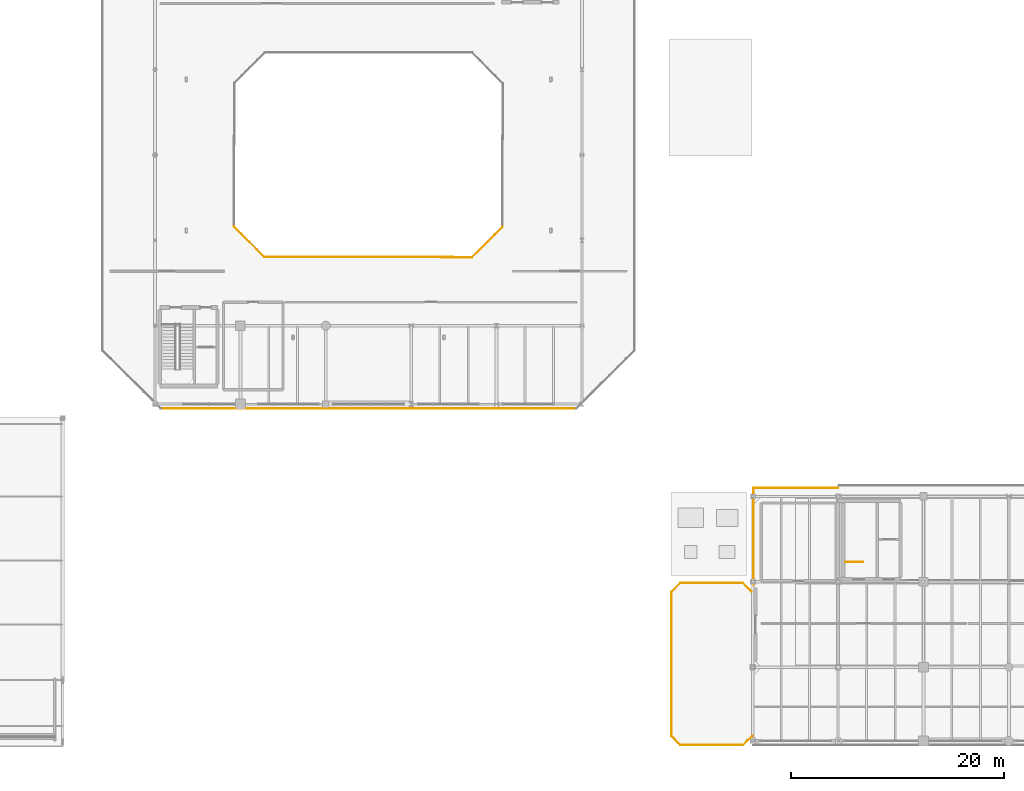
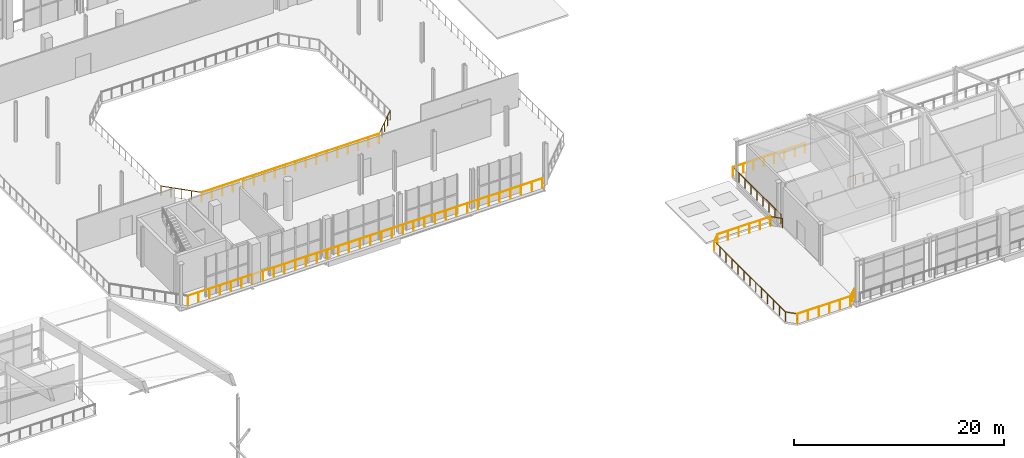
# One storey, part 47 of 51: 14 railings.
"""IFC4 building model written with IfcOpenShell, lengths in metres."""

from ifc_helpers import new_model, si_unit, direction, frame, origin, origin_2d, place, context, subcontext, project, spatial, circle, extrude, material, type_object, element, save


model = new_model("IFC4")

# Units and contexts
model_context = context("Model", 3, precision=1e-05, world=origin(), true_north=direction((0.0, 1.0)))
body_context = subcontext(model_context, "Body", "Model", "MODEL_VIEW")
ifc_project = project(units=[si_unit("LENGTHUNIT", "METRE"), si_unit("AREAUNIT", "SQUARE_METRE"), si_unit("VOLUMEUNIT", "CUBIC_METRE"), si_unit("PLANEANGLEUNIT", "RADIAN"), si_unit("MASSUNIT", "GRAM", prefix="KILO")], contexts=[model_context])

# Site, building, storey
site_placement = place(None, origin())
site = spatial("IfcSite", under=ifc_project, at=site_placement, CompositionType="ELEMENT")
building_placement = place(site_placement, origin())
building = spatial("IfcBuilding", under=site, at=building_placement, Name="Brisemont Oceanarium", CompositionType="ELEMENT")
storey_placement = place(building_placement, frame((0.0, 0.0, 15.0)))
storey = spatial("IfcBuildingStorey", under=building, at=storey_placement, Name="L03", CompositionType="ELEMENT", Elevation=15.0)

# Railings
ifc_material = material(Name="Duplex Stainless Steel EN 1.4462", Category="steel")
railing_type = type_object("IfcRailingType", Name="RLG-GUARD-1120", PredefinedType="GUARDRAIL", material=ifc_material)
railing_1_placement = place(storey_placement, frame((128.669921875, 17.860107421875, 0.0)))
element("IfcRailing", 1, at=railing_1_placement, inside=storey, type_object=railing_type, Name="ST-04 L03 landing edge guard", PredefinedType="GUARDRAIL", context=body_context, shape_type="SweptSolid", body=[
    extrude(circle(Radius=0.02392578125, at=origin_2d()), frame((0.0, 0.0, 1.09619140625), z_axis=(1.0, 0.0, 0.0), x_axis=(0.0, 1.0, 0.0)), (0.0, 0.0, 1.0), 1.68017578125),
    extrude(circle(Radius=0.02099609375, at=origin_2d()), origin(), (0.0, 0.0, 1.0), 1.072021484375),
    extrude(circle(Radius=0.02099609375, at=origin_2d()), frame((0.840087890625, 0.0, 0.0)), (0.0, 0.0, 1.0), 1.072021484375),
    extrude(circle(Radius=0.02099609375, at=origin_2d()), frame((1.68017578125, 0.0, 0.0)), (0.0, 0.0, 1.0), 1.072021484375),
])
railing_2_placement = place(storey_placement, frame((112.389892578125, 1.537353515625, 0.0)))
element("IfcRailing", 2, at=railing_2_placement, inside=storey, type_object=railing_type, Name="L03 slab perimeter safety guard 183", PredefinedType="GUARDRAIL", context=body_context, shape_type="SweptSolid", body=[
    extrude(circle(Radius=0.02392578125, at=origin_2d()), frame((0.0, 0.0, 1.09619140625), z_axis=(0.0, 1.0, 0.0), x_axis=(-1.0, 0.0, 0.0)), (0.0, 0.0, 1.0), 13.525390625),
    extrude(circle(Radius=0.02099609375, at=origin_2d()), origin(), (0.0, 0.0, 1.0), 1.072021484375),
    extrude(circle(Radius=0.02099609375, at=origin_2d()), frame((0.0, 1.127197265625, 0.0)), (0.0, 0.0, 1.0), 1.072021484375),
    extrude(circle(Radius=0.02099609375, at=origin_2d()), frame((0.0, 2.254150390625, 0.0)), (0.0, 0.0, 1.0), 1.072021484375),
    extrude(circle(Radius=0.02099609375, at=origin_2d()), frame((0.0, 3.38134765625, 0.0)), (0.0, 0.0, 1.0), 1.072021484375),
    extrude(circle(Radius=0.02099609375, at=origin_2d()), frame((0.0, 4.508544921875, 0.0)), (0.0, 0.0, 1.0), 1.072021484375),
    extrude(circle(Radius=0.02099609375, at=origin_2d()), frame((0.0, 5.635498046875, 0.0)), (0.0, 0.0, 1.0), 1.072021484375),
    extrude(circle(Radius=0.02099609375, at=origin_2d()), frame((0.0, 6.7626953125, 0.0)), (0.0, 0.0, 1.0), 1.072021484375),
    extrude(circle(Radius=0.02099609375, at=origin_2d()), frame((0.0, 7.889892578125, 0.0)), (0.0, 0.0, 1.0), 1.072021484375),
    extrude(circle(Radius=0.02099609375, at=origin_2d()), frame((0.0, 9.016845703125, 0.0)), (0.0, 0.0, 1.0), 1.072021484375),
    extrude(circle(Radius=0.02099609375, at=origin_2d()), frame((0.0, 10.14404296875, 0.0)), (0.0, 0.0, 1.0), 1.072021484375),
    extrude(circle(Radius=0.02099609375, at=origin_2d()), frame((0.0, 11.271240234375, 0.0)), (0.0, 0.0, 1.0), 1.072021484375),
    extrude(circle(Radius=0.02099609375, at=origin_2d()), frame((0.0, 12.398193359375, 0.0)), (0.0, 0.0, 1.0), 1.072021484375),
    extrude(circle(Radius=0.02099609375, at=origin_2d()), frame((0.0, 13.525390625, 0.0)), (0.0, 0.0, 1.0), 1.072021484375),
])
railing_3_placement = place(storey_placement, frame((112.389892578125, 15.062744140625, 0.0)))
element("IfcRailing", 3, at=railing_3_placement, inside=storey, type_object=railing_type, Name="L03 slab perimeter safety guard 184", PredefinedType="GUARDRAIL", context=body_context, shape_type="SweptSolid", body=[
    extrude(circle(Radius=0.02392578125, at=origin_2d()), frame((0.0, 0.0, 1.09619140625), z_axis=(0.707208647753, 0.707004899943, 0.0), x_axis=(-0.707004899943, 0.707208647753, 0.0)), (0.0, 0.0, 1.0), 1.1982421875),
    extrude(circle(Radius=0.02099609375, at=origin_2d()), origin(), (0.0, 0.0, 1.0), 1.072021484375),
    extrude(circle(Radius=0.02099609375, at=origin_2d()), frame((0.847412109375, 0.84716796875, 0.0)), (0.0, 0.0, 1.0), 1.072021484375),
])
railing_4_placement = place(storey_placement, frame((113.2373046875, 15.909912109375, 0.0)))
element("IfcRailing", 4, at=railing_4_placement, inside=storey, type_object=railing_type, Name="L03 slab perimeter safety guard 185", PredefinedType="GUARDRAIL", context=body_context, shape_type="SweptSolid", body=[
    extrude(circle(Radius=0.02392578125, at=origin_2d()), frame((0.0, 0.0, 1.09619140625), z_axis=(1.0, 0.0, 0.0), x_axis=(0.0, 1.0, 0.0)), (0.0, 0.0, 1.0), 5.825439453125),
    extrude(circle(Radius=0.02099609375, at=origin_2d()), origin(), (0.0, 0.0, 1.0), 1.072021484375),
    extrude(circle(Radius=0.02099609375, at=origin_2d()), frame((1.1650390625, 0.0, 0.0)), (0.0, 0.0, 1.0), 1.072021484375),
    extrude(circle(Radius=0.02099609375, at=origin_2d()), frame((2.330078125, 0.0, 0.0)), (0.0, 0.0, 1.0), 1.072021484375),
    extrude(circle(Radius=0.02099609375, at=origin_2d()), frame((3.495361328125, 0.0, 0.0)), (0.0, 0.0, 1.0), 1.072021484375),
    extrude(circle(Radius=0.02099609375, at=origin_2d()), frame((4.660400390625, 0.0, 0.0)), (0.0, 0.0, 1.0), 1.072021484375),
    extrude(circle(Radius=0.02099609375, at=origin_2d()), frame((5.825439453125, 0.0, 0.0)), (0.0, 0.0, 1.0), 1.072021484375),
])
railing_5_placement = place(storey_placement, frame((119.062744140625, 15.909912109375, 0.0)))
element("IfcRailing", 5, at=railing_5_placement, inside=storey, type_object=railing_type, Name="L03 slab perimeter safety guard 186", PredefinedType="GUARDRAIL", context=body_context, shape_type="SweptSolid", body=[
    extrude(circle(Radius=0.02392578125, at=origin_2d()), frame((0.0, 0.0, 1.09619140625), z_axis=(0.707106781187, -0.707106781187, 0.0), x_axis=(0.707106781187, 0.707106781187, 0.0)), (0.0, 0.0, 1.0), 1.169677734375),
    extrude(circle(Radius=0.02099609375, at=origin_2d()), origin(), (0.0, 0.0, 1.0), 1.072021484375),
    extrude(circle(Radius=0.02099609375, at=origin_2d()), frame((0.8271484375, -0.8271484375, 0.0)), (0.0, 0.0, 1.0), 1.072021484375),
])
railing_6_placement = place(storey_placement, frame((120.090087890625, 15.72216796875, 0.0)))
element("IfcRailing", 6, at=railing_6_placement, inside=storey, type_object=railing_type, Name="L03 slab perimeter safety guard 187", PredefinedType="GUARDRAIL", context=body_context, shape_type="SweptSolid", body=[
    extrude(circle(Radius=0.02392578125, at=origin_2d()), frame((0.0, 0.0, 1.09619140625), z_axis=(0.0, 1.0, 0.0), x_axis=(-1.0, 0.0, 0.0)), (0.0, 0.0, 1.0), 9.08740234375),
    extrude(circle(Radius=0.02099609375, at=origin_2d()), origin(), (0.0, 0.0, 1.0), 1.072021484375),
    extrude(circle(Radius=0.02099609375, at=origin_2d()), frame((0.0, 1.135986328125, 0.0)), (0.0, 0.0, 1.0), 1.072021484375),
    extrude(circle(Radius=0.02099609375, at=origin_2d()), frame((0.0, 2.27197265625, 0.0)), (0.0, 0.0, 1.0), 1.072021484375),
    extrude(circle(Radius=0.02099609375, at=origin_2d()), frame((0.0, 3.40771484375, 0.0)), (0.0, 0.0, 1.0), 1.072021484375),
    extrude(circle(Radius=0.02099609375, at=origin_2d()), frame((0.0, 4.543701171875, 0.0)), (0.0, 0.0, 1.0), 1.072021484375),
    extrude(circle(Radius=0.02099609375, at=origin_2d()), frame((0.0, 5.6796875, 0.0)), (0.0, 0.0, 1.0), 1.072021484375),
    extrude(circle(Radius=0.02099609375, at=origin_2d()), frame((0.0, 6.8154296875, 0.0)), (0.0, 0.0, 1.0), 1.072021484375),
    extrude(circle(Radius=0.02099609375, at=origin_2d()), frame((0.0, 7.951416015625, 0.0)), (0.0, 0.0, 1.0), 1.072021484375),
    extrude(circle(Radius=0.02099609375, at=origin_2d()), frame((0.0, 9.08740234375, 0.0)), (0.0, 0.0, 1.0), 1.072021484375),
])
railing_7_placement = place(storey_placement, frame((120.090087890625, 24.8095703125, 0.0)))
element("IfcRailing", 7, at=railing_7_placement, inside=storey, type_object=railing_type, Name="L03 slab perimeter safety guard 188", PredefinedType="GUARDRAIL", context=body_context, shape_type="SweptSolid", body=[
    extrude(circle(Radius=0.02392578125, at=origin_2d()), frame((0.0, 0.0, 1.09619140625), z_axis=(0.999999998087, 6.1852482e-05, 0.0), x_axis=(-6.1852482e-05, 0.999999998087, 0.0)), (0.0, 0.0, 1.0), 7.894287109375),
    extrude(circle(Radius=0.02099609375, at=origin_2d()), origin(), (0.0, 0.0, 1.0), 1.072021484375),
    extrude(circle(Radius=0.02099609375, at=origin_2d()), frame((1.127685546875, 0.0, 0.0)), (0.0, 0.0, 1.0), 1.072021484375),
    extrude(circle(Radius=0.02099609375, at=origin_2d()), frame((2.255615234375, 0.000244140625, 0.0)), (0.0, 0.0, 1.0), 1.072021484375),
    extrude(circle(Radius=0.02099609375, at=origin_2d()), frame((3.38330078125, 0.000244140625, 0.0)), (0.0, 0.0, 1.0), 1.072021484375),
    extrude(circle(Radius=0.02099609375, at=origin_2d()), frame((4.510986328125, 0.000244140625, 0.0)), (0.0, 0.0, 1.0), 1.072021484375),
    extrude(circle(Radius=0.02099609375, at=origin_2d()), frame((5.638671875, 0.000244140625, 0.0)), (0.0, 0.0, 1.0), 1.072021484375),
    extrude(circle(Radius=0.02099609375, at=origin_2d()), frame((6.7666015625, 0.00048828125, 0.0)), (0.0, 0.0, 1.0), 1.072021484375),
    extrude(circle(Radius=0.02099609375, at=origin_2d()), frame((7.894287109375, 0.00048828125, 0.0)), (0.0, 0.0, 1.0), 1.072021484375),
])
railing_8_placement = place(storey_placement, frame((119.9755859375, 1.5615234375, 0.0)))
element("IfcRailing", 8, at=railing_8_placement, inside=storey, type_object=railing_type, Name="L03 slab perimeter safety guard 192", PredefinedType="GUARDRAIL", context=body_context, shape_type="SweptSolid", body=[
    extrude(circle(Radius=0.02392578125, at=origin_2d()), frame((0.0, 0.0, 1.09619140625), z_axis=(-0.723263314992, -0.69057235478, 0.0), x_axis=(0.69057235478, -0.723263314992, 0.0)), (0.0, 0.0, 1.0), 1.26220703125),
    extrude(circle(Radius=0.02099609375, at=origin_2d()), origin(), (0.0, 0.0, 1.0), 1.072021484375),
    extrude(circle(Radius=0.02099609375, at=origin_2d()), frame((-0.45654296875, -0.435791015625, 0.0)), (0.0, 0.0, 1.0), 1.072021484375),
    extrude(circle(Radius=0.02099609375, at=origin_2d()), frame((-0.912841796875, -0.87158203125, 0.0)), (0.0, 0.0, 1.0), 1.072021484375),
])
railing_9_placement = place(storey_placement, frame((119.062744140625, 0.68994140625, 0.0)))
element("IfcRailing", 9, at=railing_9_placement, inside=storey, type_object=railing_type, Name="L03 slab perimeter safety guard 193", PredefinedType="GUARDRAIL", context=body_context, shape_type="SweptSolid", body=[
    extrude(circle(Radius=0.02392578125, at=origin_2d()), frame((0.0, 0.0, 1.09619140625), z_axis=(-1.0, 0.0, 0.0), x_axis=(0.0, -1.0, 0.0)), (0.0, 0.0, 1.0), 5.825439453125),
    extrude(circle(Radius=0.02099609375, at=origin_2d()), origin(), (0.0, 0.0, 1.0), 1.072021484375),
    extrude(circle(Radius=0.02099609375, at=origin_2d()), frame((-1.1650390625, 0.0, 0.0)), (0.0, 0.0, 1.0), 1.072021484375),
    extrude(circle(Radius=0.02099609375, at=origin_2d()), frame((-2.330078125, 0.0, 0.0)), (0.0, 0.0, 1.0), 1.072021484375),
    extrude(circle(Radius=0.02099609375, at=origin_2d()), frame((-3.495361328125, 0.0, 0.0)), (0.0, 0.0, 1.0), 1.072021484375),
    extrude(circle(Radius=0.02099609375, at=origin_2d()), frame((-4.660400390625, 0.0, 0.0)), (0.0, 0.0, 1.0), 1.072021484375),
    extrude(circle(Radius=0.02099609375, at=origin_2d()), frame((-5.825439453125, 0.0, 0.0)), (0.0, 0.0, 1.0), 1.072021484375),
])
railing_10_placement = place(storey_placement, frame((113.2373046875, 0.68994140625, 0.0)))
element("IfcRailing", 10, at=railing_10_placement, inside=storey, type_object=railing_type, Name="L03 slab perimeter safety guard 194", PredefinedType="GUARDRAIL", context=body_context, shape_type="SweptSolid", body=[
    extrude(circle(Radius=0.02392578125, at=origin_2d()), frame((0.0, 0.0, 1.09619140625), z_axis=(-0.707106781187, 0.707106781187, 0.0), x_axis=(-0.707106781187, -0.707106781187, 0.0)), (0.0, 0.0, 1.0), 1.198486328125),
    extrude(circle(Radius=0.02099609375, at=origin_2d()), origin(), (0.0, 0.0, 1.0), 1.072021484375),
    extrude(circle(Radius=0.02099609375, at=origin_2d()), frame((-0.847412109375, 0.847412109375, 0.0)), (0.0, 0.0, 1.0), 1.072021484375),
])
railing_11_placement = place(storey_placement, frame((103.462646484375, 32.239990234375, 0.0)))
element("IfcRailing", 11, at=railing_11_placement, inside=storey, type_object=railing_type, Name="L03 slab perimeter safety guard 215", PredefinedType="GUARDRAIL", context=body_context, shape_type="SweptSolid", body=[
    extrude(circle(Radius=0.02392578125, at=origin_2d()), frame((0.0, 0.0, 1.09619140625), z_axis=(-1.0, 0.0, 0.0), x_axis=(0.0, -1.0, 0.0)), (0.0, 0.0, 1.0), 38.92529296875),
    extrude(circle(Radius=0.02099609375, at=origin_2d()), origin(), (0.0, 0.0, 1.0), 1.072021484375),
    extrude(circle(Radius=0.02099609375, at=origin_2d()), frame((-1.179443359375, 0.0, 0.0)), (0.0, 0.0, 1.0), 1.072021484375),
    extrude(circle(Radius=0.02099609375, at=origin_2d()), frame((-2.359130859375, 0.0, 0.0)), (0.0, 0.0, 1.0), 1.072021484375),
    extrude(circle(Radius=0.02099609375, at=origin_2d()), frame((-3.53857421875, 0.0, 0.0)), (0.0, 0.0, 1.0), 1.072021484375),
    extrude(circle(Radius=0.02099609375, at=origin_2d()), frame((-4.71826171875, 0.0, 0.0)), (0.0, 0.0, 1.0), 1.072021484375),
    extrude(circle(Radius=0.02099609375, at=origin_2d()), frame((-5.897705078125, 0.0, 0.0)), (0.0, 0.0, 1.0), 1.072021484375),
    extrude(circle(Radius=0.02099609375, at=origin_2d()), frame((-7.077392578125, 0.0, 0.0)), (0.0, 0.0, 1.0), 1.072021484375),
    extrude(circle(Radius=0.02099609375, at=origin_2d()), frame((-8.2568359375, 0.0, 0.0)), (0.0, 0.0, 1.0), 1.072021484375),
    extrude(circle(Radius=0.02099609375, at=origin_2d()), frame((-9.4365234375, 0.0, 0.0)), (0.0, 0.0, 1.0), 1.072021484375),
    extrude(circle(Radius=0.02099609375, at=origin_2d()), frame((-10.615966796875, 0.0, 0.0)), (0.0, 0.0, 1.0), 1.072021484375),
    extrude(circle(Radius=0.02099609375, at=origin_2d()), frame((-11.795654296875, 0.0, 0.0)), (0.0, 0.0, 1.0), 1.072021484375),
    extrude(circle(Radius=0.02099609375, at=origin_2d()), frame((-12.97509765625, 0.0, 0.0)), (0.0, 0.0, 1.0), 1.072021484375),
    extrude(circle(Radius=0.02099609375, at=origin_2d()), frame((-14.154541015625, 0.0, 0.0)), (0.0, 0.0, 1.0), 1.072021484375),
    extrude(circle(Radius=0.02099609375, at=origin_2d()), frame((-15.334228515625, 0.0, 0.0)), (0.0, 0.0, 1.0), 1.072021484375),
    extrude(circle(Radius=0.02099609375, at=origin_2d()), frame((-16.513671875, 0.0, 0.0)), (0.0, 0.0, 1.0), 1.072021484375),
    extrude(circle(Radius=0.02099609375, at=origin_2d()), frame((-17.693359375, 0.0, 0.0)), (0.0, 0.0, 1.0), 1.072021484375),
    extrude(circle(Radius=0.02099609375, at=origin_2d()), frame((-18.872802734375, 0.0, 0.0)), (0.0, 0.0, 1.0), 1.072021484375),
    extrude(circle(Radius=0.02099609375, at=origin_2d()), frame((-20.052490234375, 0.0, 0.0)), (0.0, 0.0, 1.0), 1.072021484375),
    extrude(circle(Radius=0.02099609375, at=origin_2d()), frame((-21.23193359375, 0.0, 0.0)), (0.0, 0.0, 1.0), 1.072021484375),
    extrude(circle(Radius=0.02099609375, at=origin_2d()), frame((-22.41162109375, 0.0, 0.0)), (0.0, 0.0, 1.0), 1.072021484375),
    extrude(circle(Radius=0.02099609375, at=origin_2d()), frame((-23.591064453125, 0.0, 0.0)), (0.0, 0.0, 1.0), 1.072021484375),
    extrude(circle(Radius=0.02099609375, at=origin_2d()), frame((-24.770751953125, 0.0, 0.0)), (0.0, 0.0, 1.0), 1.072021484375),
    extrude(circle(Radius=0.02099609375, at=origin_2d()), frame((-25.9501953125, 0.0, 0.0)), (0.0, 0.0, 1.0), 1.072021484375),
    extrude(circle(Radius=0.02099609375, at=origin_2d()), frame((-27.129638671875, 0.0, 0.0)), (0.0, 0.0, 1.0), 1.072021484375),
    extrude(circle(Radius=0.02099609375, at=origin_2d()), frame((-28.309326171875, 0.0, 0.0)), (0.0, 0.0, 1.0), 1.072021484375),
    extrude(circle(Radius=0.02099609375, at=origin_2d()), frame((-29.48876953125, 0.0, 0.0)), (0.0, 0.0, 1.0), 1.072021484375),
    extrude(circle(Radius=0.02099609375, at=origin_2d()), frame((-30.66845703125, 0.0, 0.0)), (0.0, 0.0, 1.0), 1.072021484375),
    extrude(circle(Radius=0.02099609375, at=origin_2d()), frame((-31.847900390625, 0.0, 0.0)), (0.0, 0.0, 1.0), 1.072021484375),
    extrude(circle(Radius=0.02099609375, at=origin_2d()), frame((-33.027587890625, 0.0, 0.0)), (0.0, 0.0, 1.0), 1.072021484375),
    extrude(circle(Radius=0.02099609375, at=origin_2d()), frame((-34.20703125, 0.0, 0.0)), (0.0, 0.0, 1.0), 1.072021484375),
    extrude(circle(Radius=0.02099609375, at=origin_2d()), frame((-35.38671875, 0.0, 0.0)), (0.0, 0.0, 1.0), 1.072021484375),
    extrude(circle(Radius=0.02099609375, at=origin_2d()), frame((-36.566162109375, 0.0, 0.0)), (0.0, 0.0, 1.0), 1.072021484375),
    extrude(circle(Radius=0.02099609375, at=origin_2d()), frame((-37.745849609375, 0.0, 0.0)), (0.0, 0.0, 1.0), 1.072021484375),
    extrude(circle(Radius=0.02099609375, at=origin_2d()), frame((-38.92529296875, 0.0, 0.0)), (0.0, 0.0, 1.0), 1.072021484375),
])
railing_12_placement = place(storey_placement, frame((71.411376953125, 49.291259765625, 0.0)))
element("IfcRailing", 12, at=railing_12_placement, inside=storey, type_object=railing_type, Name="L03 slab perimeter safety guard 222", PredefinedType="GUARDRAIL", context=body_context, shape_type="SweptSolid", body=[
    extrude(circle(Radius=0.02392578125, at=origin_2d()), frame((0.0, 0.0, 1.09619140625), z_axis=(0.704045165241, -0.710155198038, 0.0), x_axis=(0.710155198038, 0.704045165241, 0.0)), (0.0, 0.0, 1.0), 4.03564453125),
    extrude(circle(Radius=0.02099609375, at=origin_2d()), origin(), (0.0, 0.0, 1.0), 1.072021484375),
    extrude(circle(Radius=0.02099609375, at=origin_2d()), frame((0.71044921875, -0.716552734375, 0.0)), (0.0, 0.0, 1.0), 1.072021484375),
    extrude(circle(Radius=0.02099609375, at=origin_2d()), frame((1.420654296875, -1.43310546875, 0.0)), (0.0, 0.0, 1.0), 1.072021484375),
    extrude(circle(Radius=0.02099609375, at=origin_2d()), frame((2.130859375, -2.1494140625, 0.0)), (0.0, 0.0, 1.0), 1.072021484375),
    extrude(circle(Radius=0.02099609375, at=origin_2d()), frame((2.84130859375, -2.865966796875, 0.0)), (0.0, 0.0, 1.0), 1.072021484375),
])
railing_13_placement = place(storey_placement, frame((74.252685546875, 46.42529296875, 0.0)))
element("IfcRailing", 13, at=railing_13_placement, inside=storey, type_object=railing_type, Name="L03 slab perimeter safety guard 223", PredefinedType="GUARDRAIL", context=body_context, shape_type="SweptSolid", body=[
    extrude(circle(Radius=0.02392578125, at=origin_2d()), frame((0.0, 0.0, 1.09619140625), z_axis=(0.999999735099, -0.000727874914, 0.0), x_axis=(0.000727874914, 0.999999735099, 0.0)), (0.0, 0.0, 1.0), 19.4541015625),
    extrude(circle(Radius=0.02099609375, at=origin_2d()), origin(), (0.0, 0.0, 1.0), 1.072021484375),
    extrude(circle(Radius=0.02099609375, at=origin_2d()), frame((1.144287109375, -0.000732421875, 0.0)), (0.0, 0.0, 1.0), 1.072021484375),
    extrude(circle(Radius=0.02099609375, at=origin_2d()), frame((2.288818359375, -0.001708984375, 0.0)), (0.0, 0.0, 1.0), 1.072021484375),
    extrude(circle(Radius=0.02099609375, at=origin_2d()), frame((3.43310546875, -0.00244140625, 0.0)), (0.0, 0.0, 1.0), 1.072021484375),
    extrude(circle(Radius=0.02099609375, at=origin_2d()), frame((4.577392578125, -0.00341796875, 0.0)), (0.0, 0.0, 1.0), 1.072021484375),
    extrude(circle(Radius=0.02099609375, at=origin_2d()), frame((5.7216796875, -0.004150390625, 0.0)), (0.0, 0.0, 1.0), 1.072021484375),
    extrude(circle(Radius=0.02099609375, at=origin_2d()), frame((6.8662109375, -0.0048828125, 0.0)), (0.0, 0.0, 1.0), 1.072021484375),
    extrude(circle(Radius=0.02099609375, at=origin_2d()), frame((8.010498046875, -0.005859375, 0.0)), (0.0, 0.0, 1.0), 1.072021484375),
    extrude(circle(Radius=0.02099609375, at=origin_2d()), frame((9.15478515625, -0.006591796875, 0.0)), (0.0, 0.0, 1.0), 1.072021484375),
    extrude(circle(Radius=0.02099609375, at=origin_2d()), frame((10.29931640625, -0.007568359375, 0.0)), (0.0, 0.0, 1.0), 1.072021484375),
    extrude(circle(Radius=0.02099609375, at=origin_2d()), frame((11.443603515625, -0.00830078125, 0.0)), (0.0, 0.0, 1.0), 1.072021484375),
    extrude(circle(Radius=0.02099609375, at=origin_2d()), frame((12.587890625, -0.00927734375, 0.0)), (0.0, 0.0, 1.0), 1.072021484375),
    extrude(circle(Radius=0.02099609375, at=origin_2d()), frame((13.732421875, -0.010009765625, 0.0)), (0.0, 0.0, 1.0), 1.072021484375),
    extrude(circle(Radius=0.02099609375, at=origin_2d()), frame((14.876708984375, -0.0107421875, 0.0)), (0.0, 0.0, 1.0), 1.072021484375),
    extrude(circle(Radius=0.02099609375, at=origin_2d()), frame((16.02099609375, -0.01171875, 0.0)), (0.0, 0.0, 1.0), 1.072021484375),
    extrude(circle(Radius=0.02099609375, at=origin_2d()), frame((17.165283203125, -0.012451171875, 0.0)), (0.0, 0.0, 1.0), 1.072021484375),
    extrude(circle(Radius=0.02099609375, at=origin_2d()), frame((18.309814453125, -0.013427734375, 0.0)), (0.0, 0.0, 1.0), 1.072021484375),
    extrude(circle(Radius=0.02099609375, at=origin_2d()), frame((19.4541015625, -0.01416015625, 0.0)), (0.0, 0.0, 1.0), 1.072021484375),
])
railing_14_placement = place(storey_placement, frame((93.706787109375, 46.4111328125, 0.0)))
element("IfcRailing", 14, at=railing_14_placement, inside=storey, type_object=railing_type, Name="L03 slab perimeter safety guard 224", PredefinedType="GUARDRAIL", context=body_context, shape_type="SweptSolid", body=[
    extrude(circle(Radius=0.02392578125, at=origin_2d()), frame((0.0, 0.0, 1.09619140625), z_axis=(0.711053444007, 0.703137966381, 0.0), x_axis=(-0.703137966381, 0.711053444007, 0.0)), (0.0, 0.0, 1.0), 4.009765625),
    extrude(circle(Radius=0.02099609375, at=origin_2d()), origin(), (0.0, 0.0, 1.0), 1.072021484375),
    extrude(circle(Radius=0.02099609375, at=origin_2d()), frame((0.712890625, 0.704833984375, 0.0)), (0.0, 0.0, 1.0), 1.072021484375),
    extrude(circle(Radius=0.02099609375, at=origin_2d()), frame((1.425537109375, 1.40966796875, 0.0)), (0.0, 0.0, 1.0), 1.072021484375),
    extrude(circle(Radius=0.02099609375, at=origin_2d()), frame((2.13818359375, 2.114501953125, 0.0)), (0.0, 0.0, 1.0), 1.072021484375),
    extrude(circle(Radius=0.02099609375, at=origin_2d()), frame((2.85107421875, 2.8193359375, 0.0)), (0.0, 0.0, 1.0), 1.072021484375),
])

save(model, "model.ifc")
